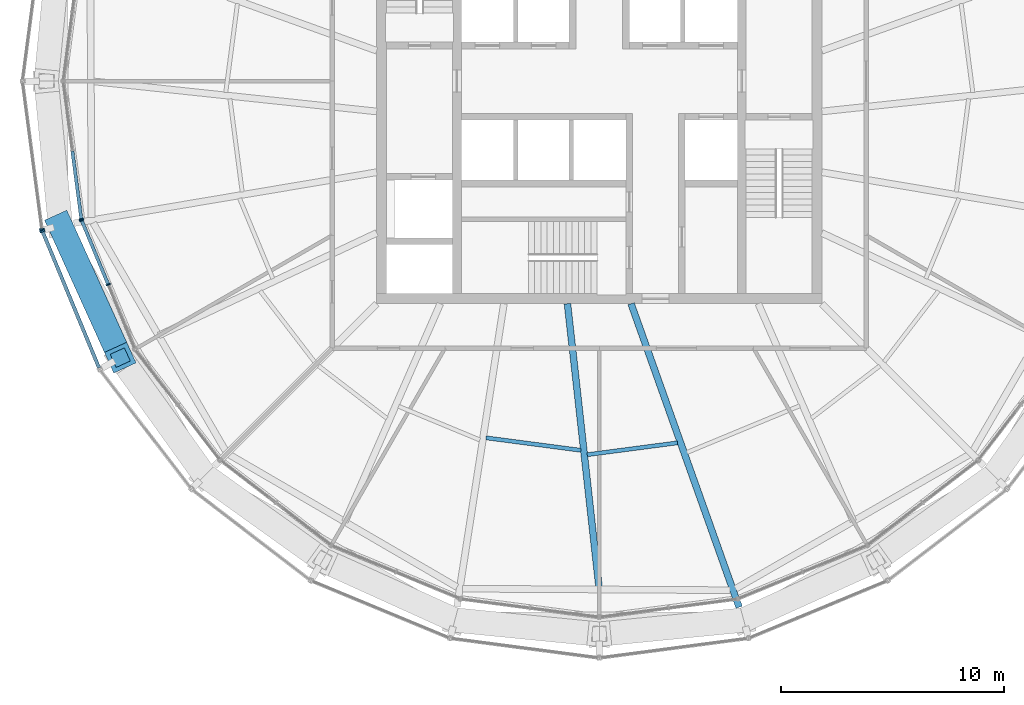
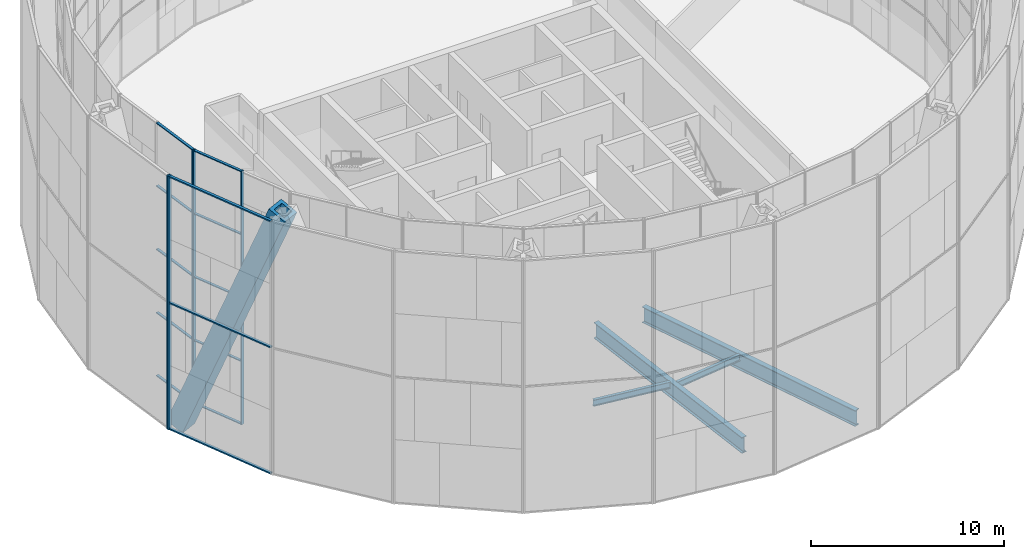
# One storey, part 3 of 30: 19 members, 4 beams, 4 elements without a shape of their own.
"""IFC4 building model written with IfcOpenShell, lengths in metres."""

from ifc_helpers import new_model, si_unit, direction, frame, origin, origin_2d, place, context, subcontext, project, spatial, rectangle, hollow_rectangle, i_section, extrude, material, material_profile, profile_set, type_object, element, aggregate, save


model = new_model("IFC4")

# Units and contexts
model_context = context("Model", 3, precision=1e-05, world=origin(), true_north=direction((0.0, 1.0)))
body_context = subcontext(model_context, "Body", "Model", "MODEL_VIEW")
ifc_project = project(units=[si_unit("LENGTHUNIT", "METRE"), si_unit("AREAUNIT", "SQUARE_METRE"), si_unit("VOLUMEUNIT", "CUBIC_METRE"), si_unit("PLANEANGLEUNIT", "RADIAN"), si_unit("MASSUNIT", "GRAM", prefix="KILO")], contexts=[model_context])

# Site, building, storey
site_placement = place(None, origin())
site = spatial("IfcSite", under=ifc_project, at=site_placement, CompositionType="ELEMENT")
building_placement = place(site_placement, origin())
building = spatial("IfcBuilding", under=site, at=building_placement, Name="Golbaran Civic Tower", CompositionType="ELEMENT")
storey_placement = place(building_placement, frame((0.0, 0.0, 167.0)))
storey = spatial("IfcBuildingStorey", under=building, at=storey_placement, Name="L40", CompositionType="ELEMENT", Elevation=167.0)

# Member
ifc_material_1 = material(Name="Steel S355", Category="steel")
ifc_material_profile_1 = material_profile(ifc_material_1, hollow_rectangle(XDim=1.10009765625, YDim=1.10009765625, WallThickness=0.199951171875, at=origin_2d()), Name="BOX 1100x1100x200")
ifc_profile_set_1 = profile_set([ifc_material_profile_1], Name="Steel S355")
member_type_1 = type_object("IfcMemberType", Name="DIAGRID DIAGONAL BOX 1100x1100x200", PredefinedType="BRACE", material=ifc_profile_set_1)
member_1_placement = place(storey_placement, frame((-24.208984375, -6.48681640625, -0.7099609375), z_axis=(0.155753672162, -0.343627476497, 0.926099860169), x_axis=(0.910805936997, 0.412834767347, 0.0)))
element("IfcMember", 1, at=member_1_placement, inside=storey, type_object=member_type_1, Name="Diagonal D09-06R L40-L44", PredefinedType="BRACE", context=body_context, shape_type="SweptSolid", body=[
    extrude(hollow_rectangle(XDim=1.10009765625, YDim=1.10009765625, WallThickness=0.199951171875, at=origin_2d()), origin(), (0.0, 0.0, 1.0), 17.27685546875),
])

# Beams
ifc_material_profile_2 = material_profile(ifc_material_1, i_section(OverallWidth=0.179931640625, OverallDepth=0.39990234375, WebThickness=0.008544921875, FlangeThickness=0.013427734375, FilletRadius=0.02099609375, at=origin_2d()), Name="IPE 400")
ifc_profile_set_2 = profile_set([ifc_material_profile_2], Name="Steel S355")
beam_type_1 = type_object("IfcBeamType", Name="FLOOR INFILL BEAM IPE 400", PredefinedType="BEAM", material=ifc_profile_set_2)
beam_1_placement = place(storey_placement, frame((-5.08740234375, -16.0244140625, -0.39990234375), z_axis=(0.991450234667, -0.130485371514, 0.0), x_axis=(0.130485371514, 0.991450234667, 0.0)))
element("IfcBeam", 2, at=beam_1_placement, inside=storey, type_object=beam_type_1, Name="Infill beam 262.50 L40", PredefinedType="BEAM", context=body_context, shape_type="SweptSolid", body=[
    extrude(i_section(OverallWidth=0.179931640625, OverallDepth=0.39990234375, WebThickness=0.008544921875, FlangeThickness=0.013427734375, FilletRadius=0.02099609375, at=origin_2d()), origin(), (0.0, 0.0, 1.0), 4.2978515625),
])
beam_2_placement = place(storey_placement, frame((-0.54296875, -16.782958984375, -0.39990234375), z_axis=(0.991447391542, 0.130506972247, 0.0), x_axis=(-0.130506972247, 0.991447391542, 0.0)))
element("IfcBeam", 3, at=beam_2_placement, inside=storey, type_object=beam_type_1, Name="Infill beam 277.50 L40", PredefinedType="BEAM", context=body_context, shape_type="SweptSolid", body=[
    extrude(i_section(OverallWidth=0.179931640625, OverallDepth=0.39990234375, WebThickness=0.008544921875, FlangeThickness=0.013427734375, FilletRadius=0.02099609375, at=origin_2d()), origin(), (0.0, 0.0, 1.0), 4.093017578125),
])

# Curtain wall, member
ifc_material_2 = material(Name="Aluminium and glass", Category="aluminium")
curtain_wall_type_1 = type_object("IfcCurtainWallType", Name="INNER SKIN CURTAIN WALL EXECUTIVE", PredefinedType="NOTDEFINED", material=ifc_material_2)
curtain_wall_1_placement = place(storey_placement, origin())
curtain_wall_1 = element("IfcCurtainWall", 4, at=curtain_wall_1_placement, inside=storey, type_object=curtain_wall_type_1, Name="Inner skin L40 facet 13 CW2", ObjectType="INNER SKIN", PredefinedType="USERDEFINED")
ifc_material_3 = material(Name="Aluminium", Category="aluminium")
ifc_material_profile_3 = material_profile(ifc_material_3, rectangle(XDim=0.199951171875, YDim=0.06005859375, at=origin_2d()), Name="INNER SKIN CURTAIN WALL EXECUTIVE MULLION")
ifc_profile_set_3 = profile_set([ifc_material_profile_3], Name="Aluminium")
member_type_2 = type_object("IfcMemberType", Name="INNER SKIN CURTAIN WALL EXECUTIVE MULLION", PredefinedType="MULLION", material=ifc_profile_set_3)
member_2_placement = place(storey_placement, frame((-23.266357421875, -6.203369140625, 0.0), z_axis=(0.0, 0.0, 1.0), x_axis=(0.991444861383, 0.130526192151, 0.0)))
member_2 = element("IfcMember", 5, at=member_2_placement, type_object=member_type_2, Name="CW2 mullion 3", PredefinedType="MULLION", context=body_context, shape_type="SweptSolid", body=[
    extrude(rectangle(XDim=0.199951171875, YDim=0.06005859375, at=origin_2d()), origin(), (0.0, 0.0, 1.0), 16.0),
])

# Curtain wall, members
curtain_wall_2_placement = place(storey_placement, origin())
curtain_wall_2 = element("IfcCurtainWall", 6, at=curtain_wall_2_placement, inside=storey, type_object=curtain_wall_type_1, Name="Inner skin L40 facet 14 CW2", ObjectType="INNER SKIN", PredefinedType="USERDEFINED")
member_3_placement = place(storey_placement, frame((-23.2509765625, -6.2607421875, 0.0), z_axis=(0.0, 0.0, 1.0), x_axis=(0.923879532471, 0.382683432462, 0.0)))
member_3 = element("IfcMember", 7, at=member_3_placement, type_object=member_type_2, Name="CW2 mullion 1", PredefinedType="MULLION", context=body_context, shape_type="SweptSolid", body=[
    extrude(rectangle(XDim=0.199951171875, YDim=0.06005859375, at=origin_2d()), origin(), (0.0, 0.0, 1.0), 16.0),
])
member_4_placement = place(storey_placement, frame((-22.059326171875, -9.13720703125, 0.0), z_axis=(0.0, 0.0, 1.0), x_axis=(0.923879532471, 0.382683432462, 0.0)))
member_4 = element("IfcMember", 8, at=member_4_placement, type_object=member_type_2, Name="CW2 mullion 2", PredefinedType="MULLION", context=body_context, shape_type="SweptSolid", body=[
    extrude(rectangle(XDim=0.199951171875, YDim=0.06005859375, at=origin_2d()), origin(), (0.0, 0.0, 1.0), 16.0),
])

# Member
ifc_material_profile_4 = material_profile(ifc_material_3, rectangle(XDim=0.14990234375, YDim=0.06005859375, at=origin_2d()), Name="INNER SKIN CURTAIN WALL EXECUTIVE TRANSOM")
ifc_profile_set_4 = profile_set([ifc_material_profile_4], Name="Aluminium")
member_type_3 = type_object("IfcMemberType", Name="INNER SKIN CURTAIN WALL EXECUTIVE TRANSOM", PredefinedType="USERDEFINED", material=ifc_profile_set_4)
member_5_placement = place(storey_placement, frame((-23.668701171875, -3.146240234375, 0.030029296875), z_axis=(0.130487605099, -0.991449940701, 0.0), x_axis=(0.991449940701, 0.130487605099, 0.0)))
member_5 = element("IfcMember", 9, at=member_5_placement, type_object=member_type_3, Name="CW2 transom 2.1", ObjectType="TRANSOM", PredefinedType="USERDEFINED", context=body_context, shape_type="SweptSolid", body=[
    extrude(rectangle(XDim=0.14990234375, YDim=0.06005859375, at=origin_2d()), origin(), (0.0, 0.0, 1.0), 3.053466796875),
])

member_6_placement = place(storey_placement, frame((-23.668701171875, -3.146240234375, 4.0), z_axis=(0.130487605099, -0.991449940701, 0.0), x_axis=(0.991449940701, 0.130487605099, 0.0)))
member_6 = element("IfcMember", 10, at=member_6_placement, type_object=member_type_3, Name="CW2 transom 2.2", ObjectType="TRANSOM", PredefinedType="USERDEFINED", context=body_context, shape_type="SweptSolid", body=[
    extrude(rectangle(XDim=0.14990234375, YDim=0.06005859375, at=origin_2d()), origin(), (0.0, 0.0, 1.0), 3.053466796875),
])

member_7_placement = place(storey_placement, frame((-23.668701171875, -3.146240234375, 8.0), z_axis=(0.130487605099, -0.991449940701, 0.0), x_axis=(0.991449940701, 0.130487605099, 0.0)))
member_7 = element("IfcMember", 11, at=member_7_placement, type_object=member_type_3, Name="CW2 transom 2.3", ObjectType="TRANSOM", PredefinedType="USERDEFINED", context=body_context, shape_type="SweptSolid", body=[
    extrude(rectangle(XDim=0.14990234375, YDim=0.06005859375, at=origin_2d()), origin(), (0.0, 0.0, 1.0), 3.053466796875),
])

member_8_placement = place(storey_placement, frame((-23.668701171875, -3.146240234375, 12.0), z_axis=(0.130487605099, -0.991449940701, 0.0), x_axis=(0.991449940701, 0.130487605099, 0.0)))
member_8 = element("IfcMember", 12, at=member_8_placement, type_object=member_type_3, Name="CW2 transom 2.4", ObjectType="TRANSOM", PredefinedType="USERDEFINED", context=body_context, shape_type="SweptSolid", body=[
    extrude(rectangle(XDim=0.14990234375, YDim=0.06005859375, at=origin_2d()), origin(), (0.0, 0.0, 1.0), 3.053466796875),
])

member_9_placement = place(storey_placement, frame((-23.668701171875, -3.146240234375, 15.969970703125), z_axis=(0.130487605099, -0.991449940701, 0.0), x_axis=(0.991449940701, 0.130487605099, 0.0)))
member_9 = element("IfcMember", 13, at=member_9_placement, type_object=member_type_3, Name="CW2 transom 2.5", ObjectType="TRANSOM", PredefinedType="USERDEFINED", context=body_context, shape_type="SweptSolid", body=[
    extrude(rectangle(XDim=0.14990234375, YDim=0.06005859375, at=origin_2d()), origin(), (0.0, 0.0, 1.0), 3.053466796875),
])

aggregate(curtain_wall_1, [member_2, member_5, member_6, member_7, member_8, member_9])

member_10_placement = place(storey_placement, frame((-23.239501953125, -6.28857421875, 0.030029296875), z_axis=(0.382735453435, -0.923857982963, 0.0), x_axis=(0.923857982963, 0.382735453435, 0.0)))
member_10 = element("IfcMember", 14, at=member_10_placement, type_object=member_type_3, Name="CW2 transom 1.1", ObjectType="TRANSOM", PredefinedType="USERDEFINED", context=body_context, shape_type="SweptSolid", body=[
    extrude(rectangle(XDim=0.14990234375, YDim=0.06005859375, at=origin_2d()), origin(), (0.0, 0.0, 1.0), 3.053466796875),
])

member_11_placement = place(storey_placement, frame((-23.239501953125, -6.28857421875, 4.0), z_axis=(0.382735453435, -0.923857982963, 0.0), x_axis=(0.923857982963, 0.382735453435, 0.0)))
member_11 = element("IfcMember", 15, at=member_11_placement, type_object=member_type_3, Name="CW2 transom 1.2", ObjectType="TRANSOM", PredefinedType="USERDEFINED", context=body_context, shape_type="SweptSolid", body=[
    extrude(rectangle(XDim=0.14990234375, YDim=0.06005859375, at=origin_2d()), origin(), (0.0, 0.0, 1.0), 3.053466796875),
])

member_12_placement = place(storey_placement, frame((-23.239501953125, -6.28857421875, 8.0), z_axis=(0.382735453435, -0.923857982963, 0.0), x_axis=(0.923857982963, 0.382735453435, 0.0)))
member_12 = element("IfcMember", 16, at=member_12_placement, type_object=member_type_3, Name="CW2 transom 1.3", ObjectType="TRANSOM", PredefinedType="USERDEFINED", context=body_context, shape_type="SweptSolid", body=[
    extrude(rectangle(XDim=0.14990234375, YDim=0.06005859375, at=origin_2d()), origin(), (0.0, 0.0, 1.0), 3.053466796875),
])

member_13_placement = place(storey_placement, frame((-23.239501953125, -6.28857421875, 12.0), z_axis=(0.382735453435, -0.923857982963, 0.0), x_axis=(0.923857982963, 0.382735453435, 0.0)))
member_13 = element("IfcMember", 17, at=member_13_placement, type_object=member_type_3, Name="CW2 transom 1.4", ObjectType="TRANSOM", PredefinedType="USERDEFINED", context=body_context, shape_type="SweptSolid", body=[
    extrude(rectangle(XDim=0.14990234375, YDim=0.06005859375, at=origin_2d()), origin(), (0.0, 0.0, 1.0), 3.053466796875),
])

member_14_placement = place(storey_placement, frame((-23.239501953125, -6.28857421875, 15.969970703125), z_axis=(0.382735453435, -0.923857982963, 0.0), x_axis=(0.923857982963, 0.382735453435, 0.0)))
member_14 = element("IfcMember", 18, at=member_14_placement, type_object=member_type_3, Name="CW2 transom 1.5", ObjectType="TRANSOM", PredefinedType="USERDEFINED", context=body_context, shape_type="SweptSolid", body=[
    extrude(rectangle(XDim=0.14990234375, YDim=0.06005859375, at=origin_2d()), origin(), (0.0, 0.0, 1.0), 3.053466796875),
])

aggregate(curtain_wall_2, [member_3, member_4, member_10, member_11, member_12, member_13, member_14])

# Curtain wall, member
curtain_wall_type_2 = type_object("IfcCurtainWallType", Name="OUTER SKIN TERRACOTTA SCREEN", PredefinedType="NOTDEFINED", material=ifc_material_2)
curtain_wall_3_placement = place(storey_placement, origin())
curtain_wall_3 = element("IfcCurtainWall", 19, at=curtain_wall_3_placement, inside=storey, type_object=curtain_wall_type_2, Name="Outer skin L40 facet 13 CW3", ObjectType="OUTER SKIN", PredefinedType="USERDEFINED")
ifc_material_profile_5 = material_profile(ifc_material_3, rectangle(XDim=0.219970703125, YDim=0.080078125, at=origin_2d()), Name="OUTER SKIN TERRACOTTA SCREEN MULLION")
ifc_profile_set_5 = profile_set([ifc_material_profile_5], Name="Aluminium")
member_type_4 = type_object("IfcMemberType", Name="OUTER SKIN TERRACOTTA SCREEN MULLION", PredefinedType="MULLION", material=ifc_profile_set_5)
member_15_placement = place(storey_placement, frame((-25.03515625, -6.667236328125, -0.7099609375), z_axis=(0.0, 0.0, 1.0), x_axis=(0.991444861381, 0.130526192168, 0.0)))
member_15 = element("IfcMember", 20, at=member_15_placement, type_object=member_type_4, Name="CW3 mullion 2", PredefinedType="MULLION", context=body_context, shape_type="SweptSolid", body=[
    extrude(rectangle(XDim=0.219970703125, YDim=0.080078125, at=origin_2d()), origin(), (0.0, 0.0, 1.0), 16.0),
])
aggregate(curtain_wall_3, [member_15])

# Curtain wall, members
curtain_wall_4_placement = place(storey_placement, origin())
curtain_wall_4 = element("IfcCurtainWall", 21, at=curtain_wall_4_placement, inside=storey, type_object=curtain_wall_type_2, Name="Outer skin L40 facet 14 CW3", ObjectType="OUTER SKIN", PredefinedType="USERDEFINED")
member_16_placement = place(storey_placement, frame((-25.0146484375, -6.74365234375, -0.7099609375), z_axis=(0.0, 0.0, 1.0), x_axis=(0.923879532471, 0.382683432462, 0.0)))
member_16 = element("IfcMember", 22, at=member_16_placement, type_object=member_type_4, Name="CW3 mullion 1", PredefinedType="MULLION", context=body_context, shape_type="SweptSolid", body=[
    extrude(rectangle(XDim=0.219970703125, YDim=0.080078125, at=origin_2d()), origin(), (0.0, 0.0, 1.0), 16.0),
])
ifc_material_profile_6 = material_profile(ifc_material_3, rectangle(XDim=0.159912109375, YDim=0.080078125, at=origin_2d()), Name="OUTER SKIN TERRACOTTA SCREEN TRANSOM")
ifc_profile_set_6 = profile_set([ifc_material_profile_6], Name="Aluminium")
member_type_5 = type_object("IfcMemberType", Name="OUTER SKIN TERRACOTTA SCREEN TRANSOM", PredefinedType="USERDEFINED", material=ifc_profile_set_6)
member_17_placement = place(storey_placement, frame((-24.99951171875, -6.78076171875, -0.669921875), z_axis=(0.38270111505, -0.923872207905, 0.0), x_axis=(0.923872207905, 0.38270111505, 0.0)))
member_17 = element("IfcMember", 23, at=member_17_placement, type_object=member_type_5, Name="CW3 transom 1.1", ObjectType="TRANSOM", PredefinedType="USERDEFINED", context=body_context, shape_type="SweptSolid", body=[
    extrude(rectangle(XDim=0.159912109375, YDim=0.080078125, at=origin_2d()), origin(), (0.0, 0.0, 1.0), 6.6044921875),
])
member_18_placement = place(storey_placement, frame((-24.99951171875, -6.78076171875, 7.2900390625), z_axis=(0.38270111505, -0.923872207905, 0.0), x_axis=(0.923872207905, 0.38270111505, 0.0)))
member_18 = element("IfcMember", 24, at=member_18_placement, type_object=member_type_5, Name="CW3 transom 1.2", ObjectType="TRANSOM", PredefinedType="USERDEFINED", context=body_context, shape_type="SweptSolid", body=[
    extrude(rectangle(XDim=0.159912109375, YDim=0.080078125, at=origin_2d()), origin(), (0.0, 0.0, 1.0), 6.6044921875),
])
member_19_placement = place(storey_placement, frame((-24.99951171875, -6.78076171875, 15.25), z_axis=(0.38270111505, -0.923872207905, 0.0), x_axis=(0.923872207905, 0.38270111505, 0.0)))
member_19 = element("IfcMember", 25, at=member_19_placement, type_object=member_type_5, Name="CW3 transom 1.3", ObjectType="TRANSOM", PredefinedType="USERDEFINED", context=body_context, shape_type="SweptSolid", body=[
    extrude(rectangle(XDim=0.159912109375, YDim=0.080078125, at=origin_2d()), origin(), (0.0, 0.0, 1.0), 6.6044921875),
])
aggregate(curtain_wall_4, [member_16, member_17, member_18, member_19])

# Beams
ifc_material_profile_7 = material_profile(ifc_material_1, i_section(OverallWidth=0.300048828125, OverallDepth=1.0, WebThickness=0.01904296875, FlangeThickness=0.035888671875, FilletRadius=0.030029296875, at=origin_2d()), Name="HEB 1000")
ifc_profile_set_7 = profile_set([ifc_material_profile_7], Name="Steel S355")
beam_type_2 = type_object("IfcBeamType", Name="RADIAL FLOOR BEAM HEB 1000", PredefinedType="BEAM", material=ifc_profile_set_7)
beam_3_placement = place(storey_placement, frame((1.428466796875, -10.0, -0.7099609375), z_axis=(0.335374406004, -0.942084926001, 0.0), x_axis=(0.942084926001, 0.335374406004, 0.0)))
element("IfcBeam", 26, at=beam_3_placement, inside=storey, type_object=beam_type_2, Name="Radial beam 285.00 L40", PredefinedType="BEAM", context=body_context, shape_type="SweptSolid", body=[
    extrude(i_section(OverallWidth=0.300048828125, OverallDepth=1.0, WebThickness=0.01904296875, FlangeThickness=0.035888671875, FilletRadius=0.030029296875, at=origin_2d()), origin(), (0.0, 0.0, 1.0), 14.471923828125),
])
ifc_material_profile_8 = material_profile(ifc_material_1, i_section(OverallWidth=0.300048828125, OverallDepth=1.0, WebThickness=0.01904296875, FlangeThickness=0.035888671875, FilletRadius=0.030029296875, at=origin_2d()), Name="HEB 1000")
ifc_profile_set_8 = profile_set([ifc_material_profile_8], Name="Steel S355")
beam_type_3 = type_object("IfcBeamType", Name="SECONDARY FLOOR BEAM HEB 1000", PredefinedType="BEAM", material=ifc_profile_set_8)
beam_4_placement = place(storey_placement, frame((-1.428466796875, -10.0, -0.7099609375), z_axis=(0.110599573922, -0.993865048308, 0.0), x_axis=(0.993865048308, 0.110599573922, 0.0)))
element("IfcBeam", 27, at=beam_4_placement, inside=storey, type_object=beam_type_3, Name="Secondary beam 270.00 L40", PredefinedType="BEAM", context=body_context, shape_type="SweptSolid", body=[
    extrude(i_section(OverallWidth=0.300048828125, OverallDepth=1.0, WebThickness=0.01904296875, FlangeThickness=0.035888671875, FilletRadius=0.030029296875, at=origin_2d()), origin(), (0.0, 0.0, 1.0), 12.915771484375),
])

save(model, "model.ifc")
